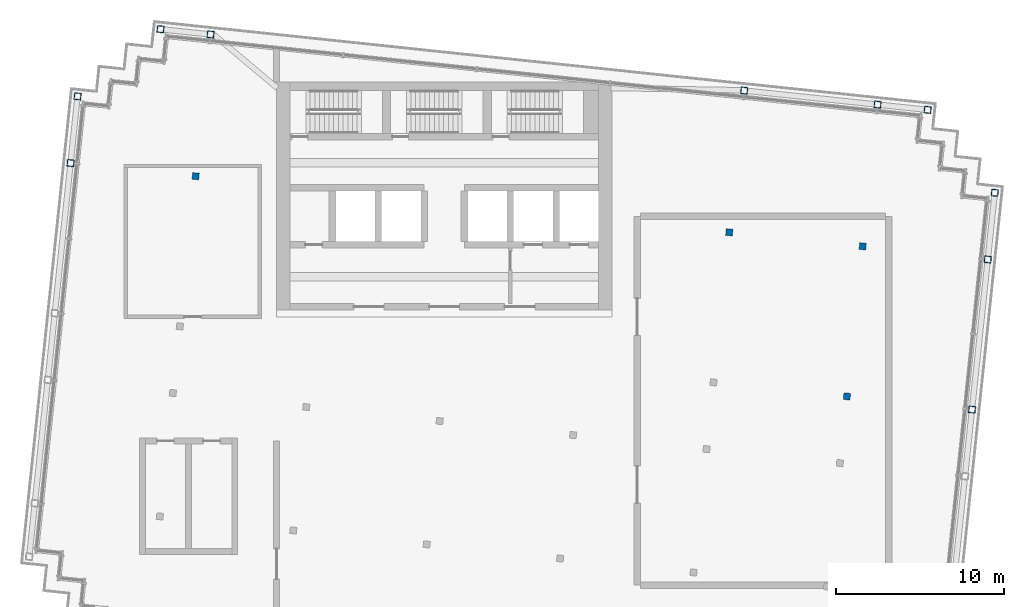
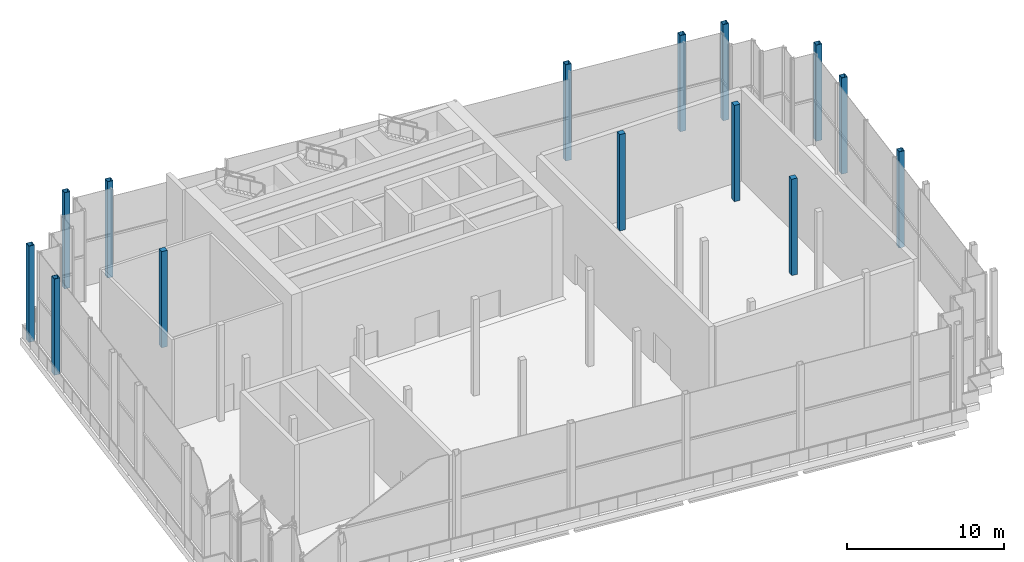
# One storey, part 2 of 14: 14 columns.
"""IFC4 building model written with IfcOpenShell, lengths in metres."""

from ifc_helpers import new_model, si_unit, direction, frame, origin, origin_2d, place, context, subcontext, project, spatial, rectangle, hollow_rectangle, extrude, material, material_profile, profile_set, type_object, element, save


model = new_model("IFC4")

# Units and contexts
model_context = context("Model", 3, precision=1e-05, world=origin(), true_north=direction((0.0, 1.0)))
body_context = subcontext(model_context, "Body", "Model", "MODEL_VIEW")
ifc_project = project(units=[si_unit("LENGTHUNIT", "METRE"), si_unit("AREAUNIT", "SQUARE_METRE"), si_unit("VOLUMEUNIT", "CUBIC_METRE"), si_unit("PLANEANGLEUNIT", "RADIAN"), si_unit("MASSUNIT", "GRAM", prefix="KILO")], contexts=[model_context])

# Site, building, storey
site_placement = place(None, origin())
site = spatial("IfcSite", under=ifc_project, at=site_placement, CompositionType="ELEMENT")
building_placement = place(site_placement, origin())
building = spatial("IfcBuilding", under=site, at=building_placement, Name="Vidyagriha Tower", CompositionType="ELEMENT")
storey_placement = place(building_placement, frame((0.0, 0.0, 301.699951171875)))
storey = spatial("IfcBuildingStorey", under=building, at=storey_placement, Name="L78", CompositionType="ELEMENT", Elevation=301.699951171875)

# Columns
ifc_material_1 = material(Name="Steel ASTM A572 Grade 50", Category="steel")
ifc_material_profile_1 = material_profile(ifc_material_1, hollow_rectangle(XDim=0.39990234375, YDim=0.39990234375, WallThickness=0.02001953125, at=origin_2d()), Name="BOX 400x400x20")
ifc_profile_set_1 = profile_set([ifc_material_profile_1], Name="Steel ASTM A572 Grade 50")
column_type_1 = type_object("IfcColumnType", Name="Exoskeleton column BOX 400x400x20", PredefinedType="COLUMN", material=ifc_profile_set_1)
for number, where, z_axis, x_axis, name in (
    (1, (31.4677734375, 0.47412109375, 0.0), (0.0, 0.0, 1.0), (0.994521895368, -0.104528463268, 0.0), "st-col-L78-B6-031"),
    (2, (-22.2900390625, 15.173828125, 0.0), (0.0, 0.0, 1.0), (0.994521895368, -0.104528463268, 0.0), "st-col-L78-B6-032"),
    (3, (32.40869140625, 9.4248046875, 0.0), (0.0, 0.0, 1.0), (0.994521895368, -0.104528463268, 0.0), "st-col-L78-B6-036"),
    (4, (-21.8720703125, 19.15185546875, 0.0), (0.0, 0.0, 1.0), (0.994521895368, -0.104528463268, 0.0), "st-col-L78-B6-037"),
    (5, (32.82666015625, 13.40283203125, 0.0), (0.0, 0.0, 1.0), (0.994521895368, -0.104528463268, 0.0), "st-col-L78-B6-038"),
    (6, (-16.92626953125, 23.156982421875, 0.0), (0.0, 0.0, 1.0), (0.994521895368, -0.104528463268, 0.0), "st-col-L78-B6-039"),
    (7, (-13.942626953125, 22.84326171875, 0.0), (0.0, 0.0, 1.0), (0.994521895368, -0.104528463268, 0.0), "st-col-L78-B6-040"),
    (8, (17.882080078125, 19.498291015625, 0.0), (0.0, 0.0, 1.0), (0.994521895368, -0.104528463268, 0.0), "st-col-L78-B6-041"),
    (9, (25.838134765625, 18.662109375, 0.0), (0.0, 0.0, 1.0), (0.994521895368, -0.104528463268, 0.0), "st-col-L78-B6-042"),
    (10, (28.82177734375, 18.3486328125, 0.0), (0.0, 0.0, 1.0), (0.994521895368, -0.104528463268, 0.0), "st-col-L78-B6-043"),
):
    element("IfcColumn", number, at=place(storey_placement, frame(where, z_axis=z_axis, x_axis=x_axis)), inside=storey, type_object=column_type_1, Name=name, PredefinedType="COLUMN", context=body_context, shape_type="SweptSolid", body=[
        extrude(hollow_rectangle(XDim=0.39990234375, YDim=0.39990234375, WallThickness=0.02001953125, at=origin_2d()), origin(), (0.0, 0.0, 1.0), 7.5),
    ])
ifc_material_2 = material(Name="Concrete C60/75", Category="concrete")
ifc_material_profile_2 = material_profile(ifc_material_2, rectangle(XDim=0.39990234375, YDim=0.39990234375, at=origin_2d()), Name="RC 400x400")
ifc_profile_set_2 = profile_set([ifc_material_profile_2], Name="Concrete C60/75")
column_type_2 = type_object("IfcColumnType", Name="Frame column RC 400x400", PredefinedType="COLUMN", material=ifc_profile_set_2)
for number, where, z_axis, x_axis, name in (
    (11, (24.0087890625, 1.258056640625, 0.0), (0.0, 0.0, 1.0), (0.994521895368, -0.104528463268, 0.0), "st-col-L78-B6-030"),
    (12, (-14.831298828125, 14.389892578125, 0.0), (0.0, 0.0, 1.0), (0.994521895368, -0.104528463268, 0.0), "st-col-L78-B6-033"),
    (13, (16.993408203125, 11.044921875, 0.0), (0.0, 0.0, 1.0), (0.994521895368, -0.104528463268, 0.0), "st-col-L78-B6-034"),
    (14, (24.94970703125, 10.208740234375, 0.0), (0.0, 0.0, 1.0), (0.994521895368, -0.104528463268, 0.0), "st-col-L78-B6-035"),
):
    element("IfcColumn", number, at=place(storey_placement, frame(where, z_axis=z_axis, x_axis=x_axis)), inside=storey, type_object=column_type_2, Name=name, PredefinedType="COLUMN", context=body_context, shape_type="SweptSolid", body=[
        extrude(rectangle(XDim=0.39990234375, YDim=0.39990234375, at=origin_2d()), origin(), (0.0, 0.0, 1.0), 7.5),
    ])

save(model, "model.ifc")
